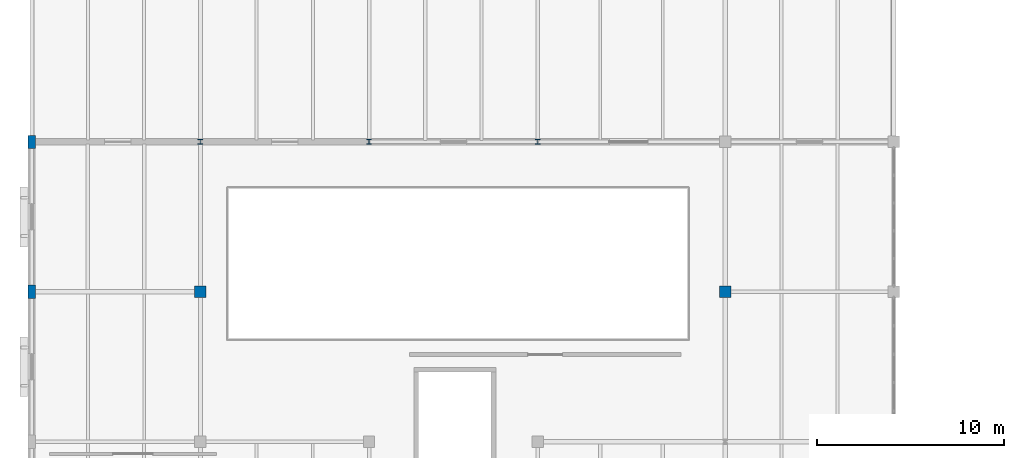
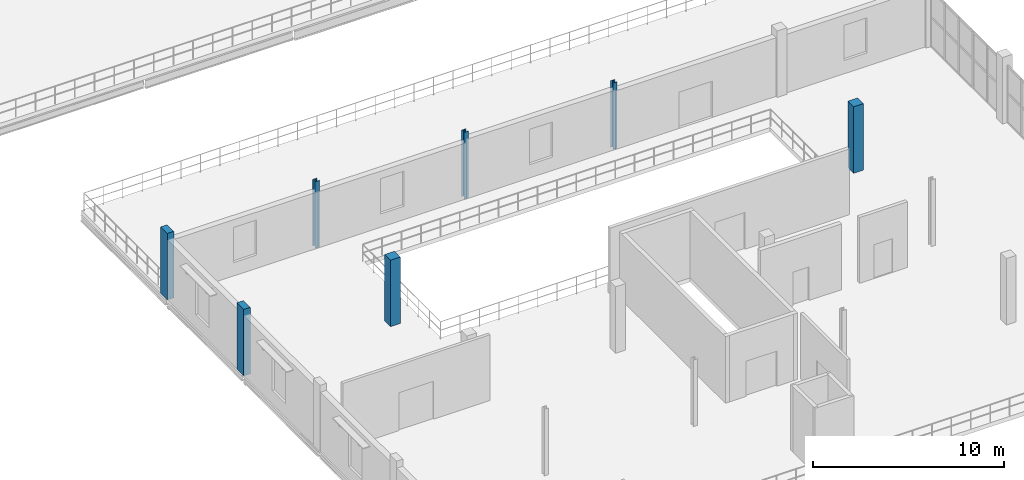
# One storey, part 3 of 73: 7 columns.
"""IFC4 building model written with IfcOpenShell, lengths in metres."""

from ifc_helpers import new_model, si_unit, direction, frame, origin, origin_2d, place, context, subcontext, project, spatial, rectangle, i_section, extrude, material, material_profile, profile_set, type_object, element, save


model = new_model("IFC4")

# Units and contexts
model_context = context("Model", 3, precision=1e-05, world=origin(), true_north=direction((0.0, 1.0)))
body_context = subcontext(model_context, "Body", "Model", "MODEL_VIEW")
ifc_project = project(units=[si_unit("LENGTHUNIT", "METRE"), si_unit("AREAUNIT", "SQUARE_METRE"), si_unit("VOLUMEUNIT", "CUBIC_METRE"), si_unit("PLANEANGLEUNIT", "RADIAN"), si_unit("MASSUNIT", "GRAM", prefix="KILO")], contexts=[model_context])

# Site, building, storey
site_placement = place(None, origin())
site = spatial("IfcSite", under=ifc_project, at=site_placement, CompositionType="ELEMENT")
building_placement = place(site_placement, origin())
building = spatial("IfcBuilding", under=site, at=building_placement, Name="Marnock Terrace Opera House", CompositionType="ELEMENT")
storey_placement = place(building_placement, frame((0.0, 0.0, 14.699951171875)))
storey = spatial("IfcBuildingStorey", under=building, at=storey_placement, Name="L03", CompositionType="ELEMENT", Elevation=14.699951171875)

# Columns
ifc_material_1 = material(Name="Concrete N40 (f'c = 40 MPa)", Category="concrete")
ifc_material_profile_1 = material_profile(ifc_material_1, rectangle(XDim=0.39990234375, YDim=0.699951171875, at=origin_2d()))
ifc_profile_set_1 = profile_set([ifc_material_profile_1], Name="Concrete N40 (f'c = 40 MPa)")
column_type_1 = type_object("IfcColumnType", Name="COL-PIL-700", PredefinedType="PILASTER", material=ifc_profile_set_1)
for number, where, z_axis, x_axis, name in (
    (1, (0.0, 40.0, 0.0), (0.0, 0.0, 1.0), (1.0, 0.0, 0.0), "L03 column at (0.0, 40.0)"),
    (2, (0.0, 48.0, 0.0), (0.0, 0.0, 1.0), (1.0, 0.0, 0.0), "L03 column at (0.0, 48.0)"),
):
    element("IfcColumn", number, at=place(storey_placement, frame(where, z_axis=z_axis, x_axis=x_axis)), inside=storey, type_object=column_type_1, Name=name, PredefinedType="PILASTER", context=body_context, shape_type="SweptSolid", body=[
        extrude(rectangle(XDim=0.39990234375, YDim=0.699951171875, at=origin_2d()), origin(), (0.0, 0.0, 1.0), 4.25),
    ])
ifc_material_profile_2 = material_profile(ifc_material_1, rectangle(XDim=0.60009765625, YDim=0.60009765625, at=origin_2d()))
ifc_profile_set_2 = profile_set([ifc_material_profile_2], Name="Concrete N40 (f'c = 40 MPa)")
column_type_2 = type_object("IfcColumnType", Name="COL-RC600", PredefinedType="COLUMN", material=ifc_profile_set_2)
for number, where, z_axis, x_axis, name in (
    (3, (9.0, 40.0, 0.0), (0.0, 0.0, 1.0), (1.0, 0.0, 0.0), "L03 column at (9.0, 40.0)"),
    (4, (37.0, 40.0, 0.0), (0.0, 0.0, 1.0), (1.0, 0.0, 0.0), "L03 column at (37.0, 40.0)"),
):
    element("IfcColumn", number, at=place(storey_placement, frame(where, z_axis=z_axis, x_axis=x_axis)), inside=storey, type_object=column_type_2, Name=name, PredefinedType="COLUMN", context=body_context, shape_type="SweptSolid", body=[
        extrude(rectangle(XDim=0.60009765625, YDim=0.60009765625, at=origin_2d()), origin(), (0.0, 0.0, 1.0), 4.25),
    ])
ifc_material_2 = material(Name="Steel Grade 350 (AS/NZS 3679.1)", Category="steel")
ifc_material_profile_3 = material_profile(ifc_material_2, i_section(OverallWidth=0.256103515625, OverallDepth=0.260009765625, WebThickness=0.010498046875, FlangeThickness=0.017333984375, FilletRadius=0.013916015625, at=origin_2d()))
ifc_profile_set_3 = profile_set([ifc_material_profile_3], Name="Steel Grade 350 (AS/NZS 3679.1)")
column_type_3 = type_object("IfcColumnType", Name="COL-UC250", PredefinedType="COLUMN", material=ifc_profile_set_3)
for number, where, z_axis, x_axis, name in (
    (5, (9.0, 48.0, 0.0), (0.0, 0.0, 1.0), (1.0, 0.0, 0.0), "L03 column at (9.0, 48.0)"),
    (6, (18.0, 48.0, 0.0), (0.0, 0.0, 1.0), (1.0, 0.0, 0.0), "L03 column at (18.0, 48.0)"),
    (7, (27.0, 48.0, 0.0), (0.0, 0.0, 1.0), (1.0, 0.0, 0.0), "L03 column at (27.0, 48.0)"),
):
    element("IfcColumn", number, at=place(storey_placement, frame(where, z_axis=z_axis, x_axis=x_axis)), inside=storey, type_object=column_type_3, Name=name, PredefinedType="COLUMN", context=body_context, shape_type="SweptSolid", body=[
        extrude(i_section(OverallWidth=0.256103515625, OverallDepth=0.260009765625, WebThickness=0.010498046875, FlangeThickness=0.017333984375, FilletRadius=0.013916015625, at=origin_2d()), origin(), (0.0, 0.0, 1.0), 4.25),
    ])

save(model, "model.ifc")
